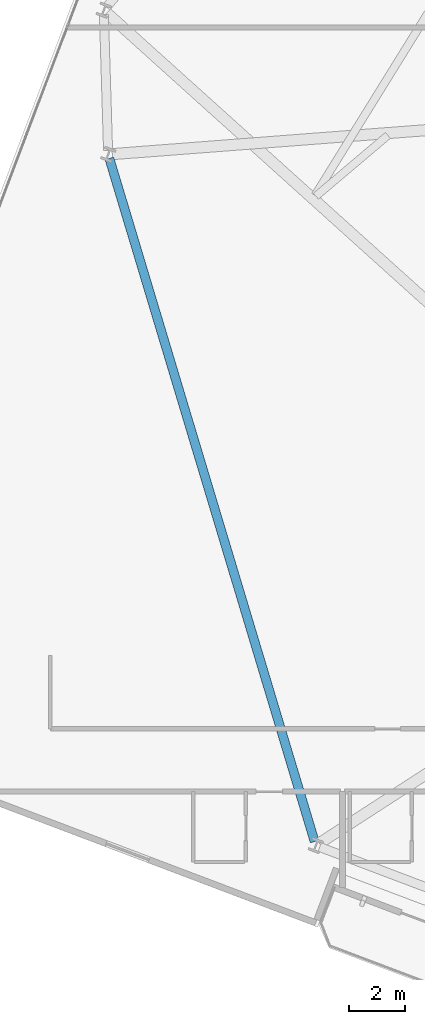
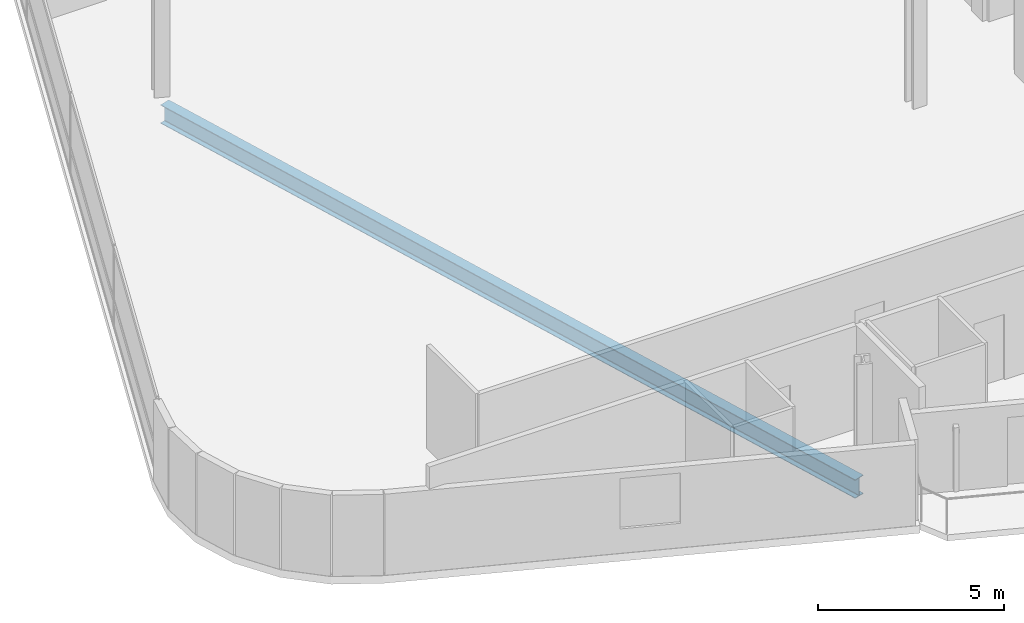
# One storey, part 5 of 25: 1 beam.
"""IFC4 building model written with IfcOpenShell, lengths in metres."""

from ifc_helpers import new_model, si_unit, direction, frame, origin, origin_2d, place, context, subcontext, project, spatial, i_section, extrude, material, material_profile, profile_set, type_object, element, save


model = new_model("IFC4")

# Units and contexts
model_context = context("Model", 3, precision=1e-05, world=origin(), true_north=direction((0.0, 1.0)))
body_context = subcontext(model_context, "Body", "Model", "MODEL_VIEW")
ifc_project = project(units=[si_unit("LENGTHUNIT", "METRE"), si_unit("AREAUNIT", "SQUARE_METRE"), si_unit("VOLUMEUNIT", "CUBIC_METRE"), si_unit("PLANEANGLEUNIT", "RADIAN"), si_unit("MASSUNIT", "GRAM", prefix="KILO")], contexts=[model_context])

# Site, building, storey
site_placement = place(None, origin())
site = spatial("IfcSite", under=ifc_project, at=site_placement, CompositionType="ELEMENT")
building_placement = place(site_placement, origin())
building = spatial("IfcBuilding", under=site, at=building_placement, Name="Varnelok Gate Tower", CompositionType="ELEMENT")
storey_placement = place(building_placement, frame((0.0, 0.0, 113.199951171875)))
storey = spatial("IfcBuildingStorey", under=building, at=storey_placement, Name="L28", CompositionType="ELEMENT", Elevation=113.199951171875)

# Beam
ifc_material = material(Name="Structural Steel ASTM A992 Grade 50", Category="steel")
ifc_material_profile = material_profile(ifc_material, i_section(OverallWidth=0.323974609375, OverallDepth=0.611083984375, WebThickness=0.0126953125, FlangeThickness=0.01904296875, FilletRadius=0.01806640625, at=origin_2d()), Name="W24X104")
ifc_profile_set = profile_set([ifc_material_profile], Name="Structural Steel ASTM A992 Grade 50")
beam_type = type_object("IfcBeamType", Name="BM-SPN-W24X104", PredefinedType="SPANDREL", material=ifc_profile_set)
beam_placement = place(storey_placement, frame((7.124267578125, 37.102294921875, -0.555419921875), z_axis=(0.287734186054, -0.957710310154, 0.0), x_axis=(0.957710310154, 0.287734186054, 0.0)))
element("IfcBeam", 1, at=beam_placement, inside=storey, type_object=beam_type, Name="L28 Perimeter Spandrel Beam 16", PredefinedType="SPANDREL", context=body_context, shape_type="SweptSolid", body=[
    extrude(i_section(OverallWidth=0.323974609375, OverallDepth=0.611083984375, WebThickness=0.0126953125, FlangeThickness=0.01904296875, FilletRadius=0.01806640625, at=origin_2d()), origin(), (0.0, 0.0, 1.0), 25.626220703125),
])

save(model, "model.ifc")
